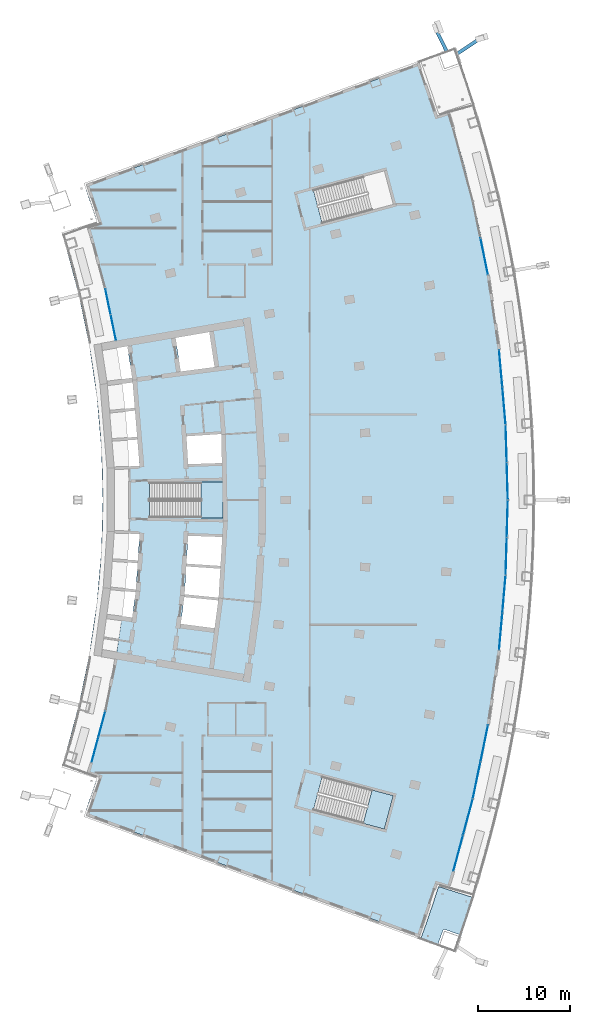
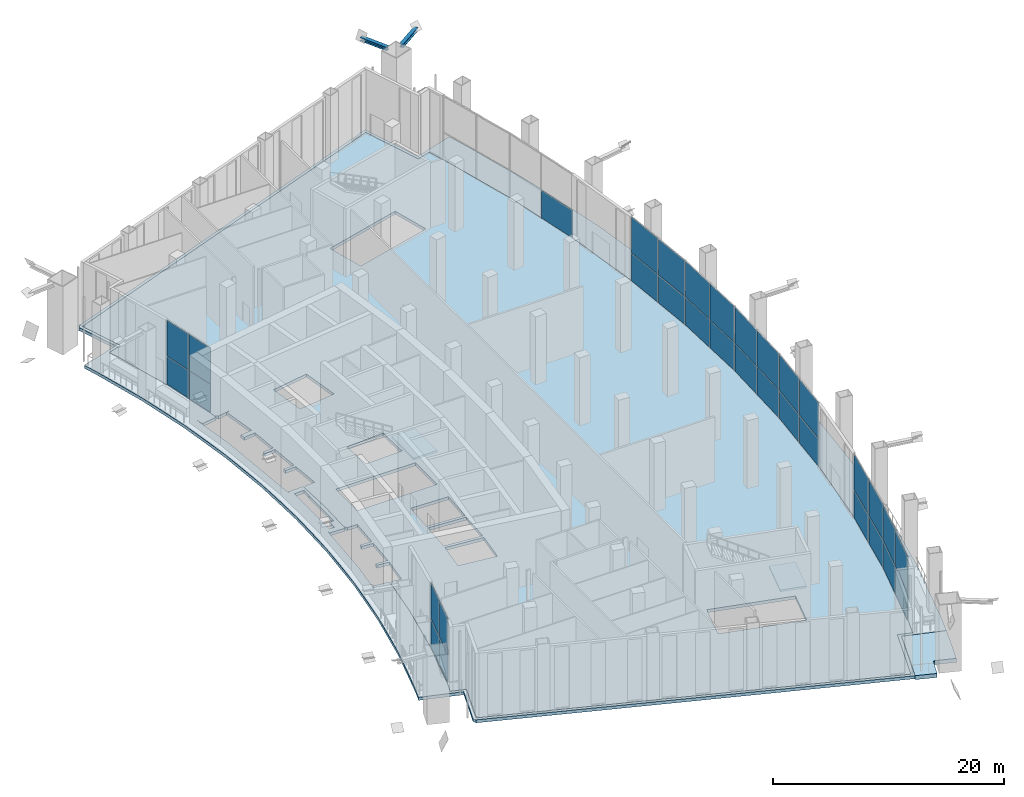
# One storey, part 14 of 27: 33 plates, 5 slabs, 2 members, 11 elements without a shape of their own.
"""IFC4 building model written with IfcOpenShell, lengths in metres."""

from ifc_helpers import new_model, si_unit, direction, frame, origin, origin_2d, place, context, subcontext, project, spatial, polyline, rectangle, i_section, outline, extrude, material, layer, layer_set, material_profile, profile_set, type_object, element, aggregate, save


model = new_model("IFC4")

# Units and contexts
model_context = context("Model", 3, precision=1e-05, world=origin(), true_north=direction((0.0, 1.0)))
body_context = subcontext(model_context, "Body", "Model", "MODEL_VIEW")
ifc_project = project(units=[si_unit("LENGTHUNIT", "METRE"), si_unit("AREAUNIT", "SQUARE_METRE"), si_unit("VOLUMEUNIT", "CUBIC_METRE"), si_unit("PLANEANGLEUNIT", "RADIAN"), si_unit("MASSUNIT", "GRAM", prefix="KILO")], contexts=[model_context])

# Site, building, storey
site_placement = place(None, origin())
site = spatial("IfcSite", under=ifc_project, at=site_placement, CompositionType="ELEMENT")
building_placement = place(site_placement, origin())
building = spatial("IfcBuilding", under=site, at=building_placement, Name="Alderwake Tower", CompositionType="ELEMENT")
storey_placement = place(building_placement, frame((0.0, 0.0, 75.199951171875)))
storey = spatial("IfcBuildingStorey", under=building, at=storey_placement, Name="L18", CompositionType="ELEMENT", Elevation=75.199951171875)

# Members
ifc_material_1 = material(Name="Steel ASTM A992 Grade 50", Category="steel")
ifc_material_profile = material_profile(ifc_material_1, i_section(OverallWidth=0.3740234375, OverallDepth=0.372314453125, WebThickness=0.016357421875, FlangeThickness=0.026123046875, at=origin_2d()), Name="W14X132")
ifc_profile_set = profile_set([ifc_material_profile], Name="Steel ASTM A992 Grade 50")
member_type = type_object("IfcMemberType", Name="Brace node stub W14X132", PredefinedType="MEMBER", material=ifc_profile_set)
member_1_placement = place(storey_placement, frame((54.419189453125, 109.353759765625, 6.993896484375), z_axis=(0.833602081828, 0.552365430826, 0.0), x_axis=(-0.552365430826, 0.833602081828, 0.0)))
element("IfcMember", 1, at=member_1_placement, inside=storey, type_object=member_type, Name="Brace node stub BS.FR13-C5.824", PredefinedType="MEMBER", context=body_context, shape_type="SweptSolid", body=[
    extrude(i_section(OverallWidth=0.3740234375, OverallDepth=0.372314453125, WebThickness=0.016357421875, FlangeThickness=0.026123046875, at=origin_2d()), origin(), (0.0, 0.0, 1.0), 2.874267578125),
])
member_2_placement = place(storey_placement, frame((53.222412109375, 109.57958984375, 6.993896484375), z_axis=(-0.443924862678, 0.896064013504, 0.0), x_axis=(-0.896064013504, -0.443924862678, 0.0)))
element("IfcMember", 2, at=member_2_placement, inside=storey, type_object=member_type, Name="Brace node stub BS.NR13-C5.824", PredefinedType="MEMBER", context=body_context, shape_type="SweptSolid", body=[
    extrude(i_section(OverallWidth=0.3740234375, OverallDepth=0.372314453125, WebThickness=0.016357421875, FlangeThickness=0.026123046875, at=origin_2d()), origin(), (0.0, 0.0, 1.0), 2.76416015625),
])

# Slabs
ifc_material_2 = material(Name="Concrete C50/60", Category="concrete")
ifc_layer_1 = layer(ifc_material_2, 0.320068359375)
ifc_layer_set_1 = layer_set([ifc_layer_1], Name="Concrete C50/60 post-tensioned flat plate 320")
slab_type_1 = type_object("IfcSlabType", Name="Concrete C50/60 post-tensioned flat plate 320", PredefinedType="FLOOR", material=ifc_layer_set_1)
slab_1_placement = place(storey_placement, frame((0.0, 0.0, -0.320068359375)))
element("IfcSlab", 3, at=slab_1_placement, inside=storey, type_object=slab_type_1, Name="Floor slab L18", PredefinedType="FLOOR", context=body_context, shape_type="SweptSolid", body=[
    extrude(outline(polyline([(18.37158203125, 51.12841796875), (18.397705078125, 51.42724609375), (19.574951171875, 51.31103515625), (19.76611328125, 54.161376953125), (18.644287109375, 54.236572265625), (18.67041015625, 54.535400390625), (19.7861328125, 54.460693359375), (19.977294921875, 57.31103515625), (19.0234375, 57.3447265625), (18.80029296875, 57.582763671875), (18.89990234375, 61.0), (18.80029296875, 64.417236328125), (19.0234375, 64.6552734375), (19.974609375, 64.68896484375), (19.738525390625, 67.5361328125), (18.67041015625, 67.464599609375), (18.644287109375, 67.763427734375), (19.7138671875, 67.835205078125), (19.47802734375, 70.679443359375), (18.397705078125, 70.57275390625), (18.37158203125, 70.87158203125), (19.453125, 70.978515625), (19.2255859375, 73.725830078125), (18.071533203125, 73.574951171875), (17.998779296875, 74.069580078125), (19.16796875, 74.22265625), (18.656982421875, 77.6376953125), (18.90283203125, 77.674560546875), (18.900146484375, 77.690673828125), (17.729248046875, 77.48828125), (17.46923828125, 77.676513671875), (17.389404296875, 78.21923828125), (16.219970703125, 83.867919921875), (14.72314453125, 89.438720703125), (14.36279296875, 90.522705078125), (15.72998046875, 90.954833984375), (14.389892578125, 94.890869140625), (14.531982421875, 95.1875), (50.19970703125, 108.207275390625), (52.15234375, 102.4716796875), (53.442626953125, 102.879638671875), (53.991455078125, 101.22802734375), (56.10888671875, 93.347900390625), (57.76318359375, 85.357666015625), (58.948974609375, 77.28466796875), (59.662109375, 69.15625), (59.89990234375, 61.0), (59.662109375, 52.84375), (58.948974609375, 44.71533203125), (57.76318359375, 36.642333984375), (56.10888671875, 28.652099609375), (53.991455078125, 20.77197265625), (53.442626953125, 19.120361328125), (52.15234375, 19.5283203125), (50.19970703125, 13.792724609375), (14.531982421875, 26.8125), (14.389892578125, 27.109130859375), (15.72998046875, 31.045166015625), (14.36279296875, 31.477294921875), (14.72314453125, 32.561279296875), (16.219970703125, 38.132080078125), (17.389404296875, 43.78076171875), (18.0380859375, 48.197509765625), (18.2998046875, 48.395263671875), (19.18017578125, 48.280029296875), (19.545166015625, 51.012451171875), (18.37158203125, 51.12841796875)]), holes=[polyline([(29.0, 62.875), (21.050048828125, 62.875), (21.050048828125, 59.125), (29.0, 59.125), (29.0, 62.875)]), polyline([(47.436279296875, 28.996826171875), (39.754150390625, 31.043212890625), (38.7890625, 27.41943359375), (46.47119140625, 25.373291015625), (47.436279296875, 28.996826171875)]), polyline([(24.82470703125, 50.49072265625), (24.8291015625, 50.534423828125), (24.825439453125, 50.534912109375), (24.43212890625, 47.59326171875), (28.095703125, 47.114013671875), (28.497802734375, 50.127685546875), (24.82470703125, 50.49072265625)]), polyline([(25.031005859375, 53.808349609375), (24.84521484375, 50.735595703125), (24.848876953125, 50.7353515625), (24.854248046875, 50.789306640625), (28.5341796875, 50.42578125), (28.719970703125, 53.56103515625), (25.031005859375, 53.808349609375)]), polyline([(28.92333984375, 56.994384765625), (25.2314453125, 57.125), (25.049072265625, 54.10791015625), (28.737548828125, 53.860595703125), (28.92333984375, 56.994384765625)]), polyline([(28.819091796875, 68.089599609375), (28.814697265625, 68.14453125), (25.05126953125, 67.892333984375), (25.232177734375, 64.875), (28.887451171875, 65.00439453125), (28.819091796875, 68.089599609375)]), polyline([(28.09619140625, 75.390380859375), (27.523193359375, 79.181396484375), (23.877685546875, 78.551025390625), (24.427001953125, 74.915283203125), (24.368896484375, 74.90673828125), (24.36962890625, 74.90283203125), (28.09619140625, 75.390380859375)]), polyline([(46.47119140625, 96.626708984375), (38.7890625, 94.58056640625), (39.754150390625, 90.956787109375), (47.436279296875, 93.003173828125), (46.47119140625, 96.626708984375)])]), origin(), (0.0, 0.0, 1.0), 0.320068359375),
])
ifc_material_3 = material(Name="Concrete C50/60", Category="concrete")
ifc_layer_2 = layer(ifc_material_3, 0.320068359375)
ifc_layer_set_2 = layer_set([ifc_layer_2], Name="Concrete C50/60 terrace slab 320")
slab_type_2 = type_object("IfcSlabType", Name="Concrete C50/60 terrace slab 320", PredefinedType="FLOOR", material=ifc_layer_set_2)
slab_2_placement = place(storey_placement, frame((0.0, 0.0, -0.320068359375)))
element("IfcSlab", 4, at=slab_2_placement, inside=storey, type_object=slab_type_2, Name="Terrace slab L18", PredefinedType="FLOOR", context=body_context, shape_type="SweptSolid", body=[
    extrude(outline(polyline([(11.945556640625, 33.395263671875), (13.3984375, 38.802734375), (14.53369140625, 44.28564453125), (15.347412109375, 49.825439453125), (15.836669921875, 55.4033203125), (16.0, 61.0), (15.836669921875, 66.5966796875), (15.347412109375, 72.174560546875), (14.53369140625, 77.71435546875), (13.3984375, 83.197265625), (11.945556640625, 88.604736328125), (11.533203125, 89.942626953125), (15.34716796875, 91.1484375), (14.011474609375, 95.072021484375), (14.1533203125, 95.36865234375), (50.385009765625, 108.59423828125), (52.341796875, 102.84619140625), (56.155517578125, 104.052001953125), (56.76904296875, 102.06201171875), (58.930419921875, 94.0185546875), (60.618896484375, 85.862548828125), (61.829345703125, 77.622314453125), (62.55712890625, 69.3251953125), (62.800048828125, 61.0), (62.55712890625, 52.6748046875), (61.829345703125, 44.377685546875), (60.618896484375, 36.137451171875), (58.930419921875, 27.9814453125), (56.76904296875, 19.93798828125), (56.155517578125, 17.947998046875), (52.341796875, 19.15380859375), (50.385009765625, 13.40576171875), (14.1533203125, 26.63134765625), (14.011474609375, 26.927978515625), (15.34716796875, 30.8515625), (11.533203125, 32.057373046875), (11.945556640625, 33.395263671875)]), holes=[polyline([(52.15234375, 19.5283203125), (53.442626953125, 19.120361328125), (53.991455078125, 20.77197265625), (56.10888671875, 28.652099609375), (57.76318359375, 36.642333984375), (58.948974609375, 44.71533203125), (59.662109375, 52.84375), (59.89990234375, 61.0), (59.662109375, 69.15625), (58.948974609375, 77.28466796875), (57.76318359375, 85.357666015625), (56.10888671875, 93.347900390625), (53.991455078125, 101.22802734375), (53.442626953125, 102.879638671875), (52.15234375, 102.4716796875), (50.19970703125, 108.207275390625), (14.31591796875, 95.108642578125), (15.72998046875, 90.954833984375), (14.36279296875, 90.522705078125), (14.72314453125, 89.438720703125), (16.219970703125, 83.867919921875), (17.389404296875, 78.21923828125), (17.502685546875, 77.448974609375), (15.96826171875, 77.183837890625), (15.836669921875, 77.94482421875), (15.58544921875, 77.900390625), (15.586181640625, 77.896484375), (15.8154296875, 77.931884765625), (16.478515625, 73.61865234375), (16.47900390625, 73.61376953125), (16.732421875, 70.558837890625), (16.98583984375, 67.501953125), (17.239501953125, 64.4443359375), (17.239501953125, 64.44189453125), (17.269287109375, 64.443115234375), (17.263916015625, 64.593017578125), (18.793701171875, 64.647216796875), (18.89990234375, 61.0), (18.793701171875, 57.352783203125), (17.263916015625, 57.406982421875), (17.269287109375, 57.556884765625), (17.2392578125, 57.55810546875), (17.033935546875, 54.494873046875), (16.82861328125, 51.431640625), (16.82861328125, 51.431640625), (16.41015625, 48.39013671875), (16.43994140625, 48.38623046875), (16.472412109375, 48.63427734375), (18.071533203125, 48.425048828125), (17.389404296875, 43.78076171875), (16.219970703125, 38.132080078125), (14.72314453125, 32.561279296875), (14.36279296875, 31.477294921875), (15.72998046875, 31.045166015625), (14.31591796875, 26.891357421875), (50.19970703125, 13.792724609375), (52.15234375, 19.5283203125)]), polyline([(17.58935546875, 64.05419921875), (17.58935546875, 57.94580078125), (18.065673828125, 57.928955078125), (18.090576171875, 58.84326171875), (18.544189453125, 58.8310546875), (18.529296875, 58.8681640625), (18.5234375, 58.89208984375), (18.5185546875, 58.94091796875), (18.5185546875, 63.060302734375), (18.5234375, 63.109130859375), (18.53759765625, 63.156005859375), (18.560791015625, 63.19921875), (18.588623046875, 63.233642578125), (18.565185546875, 64.088623046875), (17.58935546875, 64.05419921875)])]), origin(), (0.0, 0.0, 1.0), 0.320068359375),
])

# Stair, slab
ifc_material_4 = material(Name="Concrete C40/50", Category="concrete")
stair_type = type_object("IfcStairType", Name="Core exit stair", PredefinedType="HALF_TURN_STAIR", material=ifc_material_4)
stair_1_placement = place(storey_placement, origin())
stair_1 = element("IfcStair", 5, at=stair_1_placement, inside=storey, type_object=stair_type, Name="L18 Exit Stair B", PredefinedType="HALF_TURN_STAIR")
ifc_material_5 = material(Name="Concrete C40/50", Category="concrete")
ifc_layer_3 = layer(ifc_material_5, 0.199951171875)
ifc_layer_set_3 = layer_set([ifc_layer_3], Name="Core stair landing 200")
slab_type_3 = type_object("IfcSlabType", Name="Core stair landing 200", PredefinedType="LANDING", material=ifc_layer_set_3)
slab_3_placement = place(storey_placement, frame((0.0, 0.0, 3.400146484375)))
slab_3 = element("IfcSlab", 6, at=slab_3_placement, type_object=slab_type_3, Name="ST-B landing 1", PredefinedType="LANDING", context=body_context, shape_type="SweptSolid", body=[
    extrude(outline(polyline([(26.6298828125, 59.074951171875), (29.0, 59.074951171875), (29.0, 62.925048828125), (26.6298828125, 62.925048828125), (26.6298828125, 59.074951171875)])), origin(), (0.0, 0.0, 1.0), 0.199951171875),
])
aggregate(stair_1, [slab_3])

stair_2_placement = place(storey_placement, origin())
stair_2 = element("IfcStair", 7, at=stair_2_placement, inside=storey, type_object=stair_type, Name="L18 Exit Stair C", PredefinedType="HALF_TURN_STAIR")
slab_4_placement = place(storey_placement, frame((0.0, 0.0, 3.400146484375)))
slab_4 = element("IfcSlab", 8, at=slab_4_placement, type_object=slab_type_3, Name="ST-C landing 1", PredefinedType="LANDING", context=body_context, shape_type="SweptSolid", body=[
    extrude(outline(polyline([(44.180908203125, 25.983154296875), (46.47119140625, 25.373291015625), (47.436279296875, 28.996826171875), (45.146240234375, 29.60693359375), (44.180908203125, 25.983154296875)])), origin(), (0.0, 0.0, 1.0), 0.199951171875),
])
aggregate(stair_2, [slab_4])

# Curtain wall, plates
ifc_material_6 = material(Name="Bronze tinted glass in aluminium frame", Category="aluminium")
ifc_layer_4 = layer(ifc_material_6, 0.199951171875)
ifc_layer_set_4 = layer_set([ifc_layer_4], Name="Curtain wall CW3 sky garden glazing")
curtain_wall_type = type_object("IfcCurtainWallType", Name="Curtain wall CW3 sky garden glazing", PredefinedType="NOTDEFINED", material=ifc_layer_set_4)
curtain_wall_1_placement = place(storey_placement, origin())
curtain_wall_1 = element("IfcCurtainWall", 9, at=curtain_wall_1_placement, inside=storey, type_object=curtain_wall_type, Name="Curtain wall 1", PredefinedType="NOTDEFINED")
ifc_material_7 = material(Name="Bronze tinted glass in aluminium frame", Category="aluminium")
ifc_layer_5 = layer(ifc_material_7, 0.028076171875)
ifc_layer_set_5 = layer_set([ifc_layer_5], Name="Glass panel GPC 28")
plate_type = type_object("IfcPlateType", Name="Glass panel GPC 28", PredefinedType="CURTAIN_PANEL", material=ifc_layer_set_5)
plate_1_placement = place(storey_placement, frame((16.563720703125, 82.45361328125, 0.06005859375), z_axis=(0.0, 0.0, 1.0), x_axis=(0.202750888158, -0.979230349484, 0.0)))
plate_1 = element("IfcPlate", 10, at=plate_1_placement, type_object=plate_type, Name="CW.01 panel 1.1", PredefinedType="CURTAIN_PANEL", context=body_context, shape_type="SweptSolid", body=[
    extrude(rectangle(XDim=2.7890625, YDim=0.028076171875, at=origin_2d()), origin(), (0.0, 0.0, 1.0), 2.909912109375),
])
plate_2_placement = place(storey_placement, frame((16.563720703125, 82.45361328125, 3.030029296875), z_axis=(0.0, 0.0, 1.0), x_axis=(0.202750888158, -0.979230349484, 0.0)))
plate_2 = element("IfcPlate", 11, at=plate_2_placement, type_object=plate_type, Name="CW.01 panel 1.2", PredefinedType="CURTAIN_PANEL", context=body_context, shape_type="SweptSolid", body=[
    extrude(rectangle(XDim=2.7890625, YDim=0.028076171875, at=origin_2d()), origin(), (0.0, 0.0, 1.0), 3.7900390625),
])
plate_3_placement = place(storey_placement, frame((17.1416015625, 79.66357421875, 0.06005859375), z_axis=(0.0, 0.0, 1.0), x_axis=(0.202750888158, -0.979230349484, 0.0)))
plate_3 = element("IfcPlate", 12, at=plate_3_placement, type_object=plate_type, Name="CW.01 panel 2.1", PredefinedType="CURTAIN_PANEL", context=body_context, shape_type="SweptSolid", body=[
    extrude(rectangle(XDim=2.7890625, YDim=0.028076171875, at=origin_2d()), origin(), (0.0, 0.0, 1.0), 2.909912109375),
])
plate_4_placement = place(storey_placement, frame((17.1416015625, 79.66357421875, 3.030029296875), z_axis=(0.0, 0.0, 1.0), x_axis=(0.202750888158, -0.979230349484, 0.0)))
plate_4 = element("IfcPlate", 13, at=plate_4_placement, type_object=plate_type, Name="CW.01 panel 2.2", PredefinedType="CURTAIN_PANEL", context=body_context, shape_type="SweptSolid", body=[
    extrude(rectangle(XDim=2.7890625, YDim=0.028076171875, at=origin_2d()), origin(), (0.0, 0.0, 1.0), 3.7900390625),
])
aggregate(curtain_wall_1, [plate_1, plate_2, plate_3, plate_4])

curtain_wall_2_placement = place(storey_placement, origin())
curtain_wall_2 = element("IfcCurtainWall", 14, at=curtain_wall_2_placement, inside=storey, type_object=curtain_wall_type, Name="Curtain wall 2", PredefinedType="NOTDEFINED")
plate_5_placement = place(storey_placement, frame((15.89013671875, 36.7119140625, 0.06005859375), z_axis=(0.0, 0.0, 1.0), x_axis=(-0.259483539814, -0.965747530447, 0.0)))
plate_5 = element("IfcPlate", 15, at=plate_5_placement, type_object=plate_type, Name="CW.02 panel 1.1", PredefinedType="CURTAIN_PANEL", context=body_context, shape_type="SweptSolid", body=[
    extrude(rectangle(XDim=2.794189453125, YDim=0.028076171875, at=origin_2d()), origin(), (0.0, 0.0, 1.0), 2.909912109375),
])
plate_6_placement = place(storey_placement, frame((15.89013671875, 36.7119140625, 3.030029296875), z_axis=(0.0, 0.0, 1.0), x_axis=(-0.259483539814, -0.965747530447, 0.0)))
plate_6 = element("IfcPlate", 16, at=plate_6_placement, type_object=plate_type, Name="CW.02 panel 1.2", PredefinedType="CURTAIN_PANEL", context=body_context, shape_type="SweptSolid", body=[
    extrude(rectangle(XDim=2.794189453125, YDim=0.028076171875, at=origin_2d()), origin(), (0.0, 0.0, 1.0), 3.7900390625),
])
plate_7_placement = place(storey_placement, frame((15.1494140625, 33.95556640625, 0.06005859375), z_axis=(0.0, 0.0, 1.0), x_axis=(-0.259483539814, -0.965747530447, 0.0)))
plate_7 = element("IfcPlate", 17, at=plate_7_placement, type_object=plate_type, Name="CW.02 panel 2.1", PredefinedType="CURTAIN_PANEL", context=body_context, shape_type="SweptSolid", body=[
    extrude(rectangle(XDim=2.794189453125, YDim=0.028076171875, at=origin_2d()), origin(), (0.0, 0.0, 1.0), 2.909912109375),
])
plate_8_placement = place(storey_placement, frame((15.1494140625, 33.95556640625, 3.030029296875), z_axis=(0.0, 0.0, 1.0), x_axis=(-0.259483539814, -0.965747530447, 0.0)))
plate_8 = element("IfcPlate", 18, at=plate_8_placement, type_object=plate_type, Name="CW.02 panel 2.2", PredefinedType="CURTAIN_PANEL", context=body_context, shape_type="SweptSolid", body=[
    extrude(rectangle(XDim=2.794189453125, YDim=0.028076171875, at=origin_2d()), origin(), (0.0, 0.0, 1.0), 3.7900390625),
])
aggregate(curtain_wall_2, [plate_5, plate_6, plate_7, plate_8])

curtain_wall_3_placement = place(storey_placement, origin())
curtain_wall_3 = element("IfcCurtainWall", 19, at=curtain_wall_3_placement, inside=storey, type_object=curtain_wall_type, Name="Curtain wall 3", PredefinedType="NOTDEFINED")
plate_9_placement = place(storey_placement, frame((54.4765625, 22.76953125, 0.06005859375), z_axis=(0.0, 0.0, 1.0), x_axis=(0.259494384779, 0.965744616484, 0.0)))
plate_9 = element("IfcPlate", 20, at=plate_9_placement, type_object=plate_type, Name="CW.03 panel 1.1", PredefinedType="CURTAIN_PANEL", context=body_context, shape_type="SweptSolid", body=[
    extrude(rectangle(XDim=3.98974609375, YDim=0.028076171875, at=origin_2d()), origin(), (0.0, 0.0, 1.0), 2.909912109375),
])
plate_10_placement = place(storey_placement, frame((54.4765625, 22.76953125, 3.030029296875), z_axis=(0.0, 0.0, 1.0), x_axis=(0.259494384779, 0.965744616484, 0.0)))
plate_10 = element("IfcPlate", 21, at=plate_10_placement, type_object=plate_type, Name="CW.03 panel 1.2", PredefinedType="CURTAIN_PANEL", context=body_context, shape_type="SweptSolid", body=[
    extrude(rectangle(XDim=3.98974609375, YDim=0.028076171875, at=origin_2d()), origin(), (0.0, 0.0, 1.0), 3.7900390625),
])
plate_11_placement = place(storey_placement, frame((55.52734375, 26.6806640625, 0.06005859375), z_axis=(0.0, 0.0, 1.0), x_axis=(0.259494384779, 0.965744616484, 0.0)))
plate_11 = element("IfcPlate", 22, at=plate_11_placement, type_object=plate_type, Name="CW.03 panel 2.1", PredefinedType="CURTAIN_PANEL", context=body_context, shape_type="SweptSolid", body=[
    extrude(rectangle(XDim=3.98974609375, YDim=0.028076171875, at=origin_2d()), origin(), (0.0, 0.0, 1.0), 2.909912109375),
])
plate_12_placement = place(storey_placement, frame((55.52734375, 26.6806640625, 3.030029296875), z_axis=(0.0, 0.0, 1.0), x_axis=(0.259494384779, 0.965744616484, 0.0)))
plate_12 = element("IfcPlate", 23, at=plate_12_placement, type_object=plate_type, Name="CW.03 panel 2.2", PredefinedType="CURTAIN_PANEL", context=body_context, shape_type="SweptSolid", body=[
    extrude(rectangle(XDim=3.98974609375, YDim=0.028076171875, at=origin_2d()), origin(), (0.0, 0.0, 1.0), 3.7900390625),
])
aggregate(curtain_wall_3, [plate_9, plate_10, plate_11, plate_12])

curtain_wall_4_placement = place(storey_placement, origin())
curtain_wall_4 = element("IfcCurtainWall", 24, at=curtain_wall_4_placement, inside=storey, type_object=curtain_wall_type, Name="Curtain wall 4", PredefinedType="NOTDEFINED")
plate_13_placement = place(storey_placement, frame((56.4765625, 30.674560546875, 0.06005859375), z_axis=(0.0, 0.0, 1.0), x_axis=(0.202741361928, 0.979232321854, 0.0)))
plate_13 = element("IfcPlate", 25, at=plate_13_placement, type_object=plate_type, Name="CW.04 panel 1.1", PredefinedType="CURTAIN_PANEL", context=body_context, shape_type="SweptSolid", body=[
    extrude(rectangle(XDim=3.98974609375, YDim=0.028076171875, at=origin_2d()), origin(), (0.0, 0.0, 1.0), 2.909912109375),
])
plate_14_placement = place(storey_placement, frame((56.4765625, 30.674560546875, 3.030029296875), z_axis=(0.0, 0.0, 1.0), x_axis=(0.202741361928, 0.979232321854, 0.0)))
plate_14 = element("IfcPlate", 26, at=plate_14_placement, type_object=plate_type, Name="CW.04 panel 1.2", PredefinedType="CURTAIN_PANEL", context=body_context, shape_type="SweptSolid", body=[
    extrude(rectangle(XDim=3.98974609375, YDim=0.028076171875, at=origin_2d()), origin(), (0.0, 0.0, 1.0), 3.7900390625),
])
plate_15_placement = place(storey_placement, frame((57.297607421875, 34.64013671875, 0.06005859375), z_axis=(0.0, 0.0, 1.0), x_axis=(0.202741361928, 0.979232321854, 0.0)))
plate_15 = element("IfcPlate", 27, at=plate_15_placement, type_object=plate_type, Name="CW.04 panel 2.1", PredefinedType="CURTAIN_PANEL", context=body_context, shape_type="SweptSolid", body=[
    extrude(rectangle(XDim=3.98974609375, YDim=0.028076171875, at=origin_2d()), origin(), (0.0, 0.0, 1.0), 2.909912109375),
])
plate_16_placement = place(storey_placement, frame((57.297607421875, 34.64013671875, 3.030029296875), z_axis=(0.0, 0.0, 1.0), x_axis=(0.202741361928, 0.979232321854, 0.0)))
plate_16 = element("IfcPlate", 28, at=plate_16_placement, type_object=plate_type, Name="CW.04 panel 2.2", PredefinedType="CURTAIN_PANEL", context=body_context, shape_type="SweptSolid", body=[
    extrude(rectangle(XDim=3.98974609375, YDim=0.028076171875, at=origin_2d()), origin(), (0.0, 0.0, 1.0), 3.7900390625),
])
aggregate(curtain_wall_4, [plate_13, plate_14, plate_15, plate_16])

curtain_wall_5_placement = place(storey_placement, origin())
curtain_wall_5 = element("IfcCurtainWall", 29, at=curtain_wall_5_placement, inside=storey, type_object=curtain_wall_type, Name="Curtain wall 5", PredefinedType="NOTDEFINED")
plate_17_placement = place(storey_placement, frame((59.078857421875, 46.766845703125, 0.06005859375), z_axis=(0.0, 0.0, 1.0), x_axis=(0.087380547254, 0.996175004686, 0.0)))
plate_17 = element("IfcPlate", 30, at=plate_17_placement, type_object=plate_type, Name="CW.05 panel 1.1", PredefinedType="CURTAIN_PANEL", context=body_context, shape_type="SweptSolid", body=[
    extrude(rectangle(XDim=3.98974609375, YDim=0.028076171875, at=origin_2d()), origin(), (0.0, 0.0, 1.0), 2.909912109375),
])
plate_18_placement = place(storey_placement, frame((59.078857421875, 46.766845703125, 3.030029296875), z_axis=(0.0, 0.0, 1.0), x_axis=(0.087380547254, 0.996175004686, 0.0)))
plate_18 = element("IfcPlate", 31, at=plate_18_placement, type_object=plate_type, Name="CW.05 panel 1.2", PredefinedType="CURTAIN_PANEL", context=body_context, shape_type="SweptSolid", body=[
    extrude(rectangle(XDim=3.98974609375, YDim=0.028076171875, at=origin_2d()), origin(), (0.0, 0.0, 1.0), 3.7900390625),
])
plate_19_placement = place(storey_placement, frame((59.4326171875, 50.801025390625, 0.06005859375), z_axis=(0.0, 0.0, 1.0), x_axis=(0.087380547254, 0.996175004686, 0.0)))
plate_19 = element("IfcPlate", 32, at=plate_19_placement, type_object=plate_type, Name="CW.05 panel 2.1", PredefinedType="CURTAIN_PANEL", context=body_context, shape_type="SweptSolid", body=[
    extrude(rectangle(XDim=3.98974609375, YDim=0.028076171875, at=origin_2d()), origin(), (0.0, 0.0, 1.0), 2.909912109375),
])
plate_20_placement = place(storey_placement, frame((59.4326171875, 50.801025390625, 3.030029296875), z_axis=(0.0, 0.0, 1.0), x_axis=(0.087380547254, 0.996175004686, 0.0)))
plate_20 = element("IfcPlate", 33, at=plate_20_placement, type_object=plate_type, Name="CW.05 panel 2.2", PredefinedType="CURTAIN_PANEL", context=body_context, shape_type="SweptSolid", body=[
    extrude(rectangle(XDim=3.98974609375, YDim=0.028076171875, at=origin_2d()), origin(), (0.0, 0.0, 1.0), 3.7900390625),
])
aggregate(curtain_wall_5, [plate_17, plate_18, plate_19, plate_20])

curtain_wall_6_placement = place(storey_placement, origin())
curtain_wall_6 = element("IfcCurtainWall", 34, at=curtain_wall_6_placement, inside=storey, type_object=curtain_wall_type, Name="Curtain wall 6", PredefinedType="NOTDEFINED")
plate_21_placement = place(storey_placement, frame((59.671875, 54.8994140625, 0.06005859375), z_axis=(0.0, 0.0, 1.0), x_axis=(0.029167840135, 0.999574528038, 0.0)))
plate_21 = element("IfcPlate", 35, at=plate_21_placement, type_object=plate_type, Name="CW.06 panel 1.1", PredefinedType="CURTAIN_PANEL", context=body_context, shape_type="SweptSolid", body=[
    extrude(rectangle(XDim=3.98974609375, YDim=0.028076171875, at=origin_2d()), origin(), (0.0, 0.0, 1.0), 2.909912109375),
])
plate_22_placement = place(storey_placement, frame((59.671875, 54.8994140625, 3.030029296875), z_axis=(0.0, 0.0, 1.0), x_axis=(0.029167840135, 0.999574528038, 0.0)))
plate_22 = element("IfcPlate", 36, at=plate_22_placement, type_object=plate_type, Name="CW.06 panel 1.2", PredefinedType="CURTAIN_PANEL", context=body_context, shape_type="SweptSolid", body=[
    extrude(rectangle(XDim=3.98974609375, YDim=0.028076171875, at=origin_2d()), origin(), (0.0, 0.0, 1.0), 3.7900390625),
])
plate_23_placement = place(storey_placement, frame((59.7900390625, 58.947509765625, 0.06005859375), z_axis=(0.0, 0.0, 1.0), x_axis=(0.029167840135, 0.999574528038, 0.0)))
plate_23 = element("IfcPlate", 37, at=plate_23_placement, type_object=plate_type, Name="CW.06 panel 2.1", PredefinedType="CURTAIN_PANEL", context=body_context, shape_type="SweptSolid", body=[
    extrude(rectangle(XDim=3.98974609375, YDim=0.028076171875, at=origin_2d()), origin(), (0.0, 0.0, 1.0), 2.909912109375),
])
plate_24_placement = place(storey_placement, frame((59.7900390625, 58.947509765625, 3.030029296875), z_axis=(0.0, 0.0, 1.0), x_axis=(0.029167840135, 0.999574528038, 0.0)))
plate_24 = element("IfcPlate", 38, at=plate_24_placement, type_object=plate_type, Name="CW.06 panel 2.2", PredefinedType="CURTAIN_PANEL", context=body_context, shape_type="SweptSolid", body=[
    extrude(rectangle(XDim=3.98974609375, YDim=0.028076171875, at=origin_2d()), origin(), (0.0, 0.0, 1.0), 3.7900390625),
])
aggregate(curtain_wall_6, [plate_21, plate_22, plate_23, plate_24])

curtain_wall_7_placement = place(storey_placement, origin())
curtain_wall_7 = element("IfcCurtainWall", 39, at=curtain_wall_7_placement, inside=storey, type_object=curtain_wall_type, Name="Curtain wall 7", PredefinedType="NOTDEFINED")
plate_25_placement = place(storey_placement, frame((59.7900390625, 63.052490234375, 0.06005859375), z_axis=(0.0, 0.0, 1.0), x_axis=(-0.029167840135, 0.999574528038, 0.0)))
plate_25 = element("IfcPlate", 40, at=plate_25_placement, type_object=plate_type, Name="CW.07 panel 1.1", PredefinedType="CURTAIN_PANEL", context=body_context, shape_type="SweptSolid", body=[
    extrude(rectangle(XDim=3.98974609375, YDim=0.028076171875, at=origin_2d()), origin(), (0.0, 0.0, 1.0), 2.909912109375),
])
plate_26_placement = place(storey_placement, frame((59.7900390625, 63.052490234375, 3.030029296875), z_axis=(0.0, 0.0, 1.0), x_axis=(-0.029167840135, 0.999574528038, 0.0)))
plate_26 = element("IfcPlate", 41, at=plate_26_placement, type_object=plate_type, Name="CW.07 panel 1.2", PredefinedType="CURTAIN_PANEL", context=body_context, shape_type="SweptSolid", body=[
    extrude(rectangle(XDim=3.98974609375, YDim=0.028076171875, at=origin_2d()), origin(), (0.0, 0.0, 1.0), 3.7900390625),
])
plate_27_placement = place(storey_placement, frame((59.671875, 67.1005859375, 0.06005859375), z_axis=(0.0, 0.0, 1.0), x_axis=(-0.029167840135, 0.999574528038, 0.0)))
plate_27 = element("IfcPlate", 42, at=plate_27_placement, type_object=plate_type, Name="CW.07 panel 2.1", PredefinedType="CURTAIN_PANEL", context=body_context, shape_type="SweptSolid", body=[
    extrude(rectangle(XDim=3.98974609375, YDim=0.028076171875, at=origin_2d()), origin(), (0.0, 0.0, 1.0), 2.909912109375),
])
plate_28_placement = place(storey_placement, frame((59.671875, 67.1005859375, 3.030029296875), z_axis=(0.0, 0.0, 1.0), x_axis=(-0.029167840135, 0.999574528038, 0.0)))
plate_28 = element("IfcPlate", 43, at=plate_28_placement, type_object=plate_type, Name="CW.07 panel 2.2", PredefinedType="CURTAIN_PANEL", context=body_context, shape_type="SweptSolid", body=[
    extrude(rectangle(XDim=3.98974609375, YDim=0.028076171875, at=origin_2d()), origin(), (0.0, 0.0, 1.0), 3.7900390625),
])
aggregate(curtain_wall_7, [plate_25, plate_26, plate_27, plate_28])

curtain_wall_8_placement = place(storey_placement, origin())
curtain_wall_8 = element("IfcCurtainWall", 44, at=curtain_wall_8_placement, inside=storey, type_object=curtain_wall_type, Name="Curtain wall 8", PredefinedType="NOTDEFINED")
plate_29_placement = place(storey_placement, frame((59.4326171875, 71.198974609375, 0.06005859375), z_axis=(0.0, 0.0, 1.0), x_axis=(-0.087380547254, 0.996175004686, 0.0)))
plate_29 = element("IfcPlate", 45, at=plate_29_placement, type_object=plate_type, Name="CW.08 panel 1.1", PredefinedType="CURTAIN_PANEL", context=body_context, shape_type="SweptSolid", body=[
    extrude(rectangle(XDim=3.98974609375, YDim=0.028076171875, at=origin_2d()), origin(), (0.0, 0.0, 1.0), 2.909912109375),
])
plate_30_placement = place(storey_placement, frame((59.4326171875, 71.198974609375, 3.030029296875), z_axis=(0.0, 0.0, 1.0), x_axis=(-0.087380547254, 0.996175004686, 0.0)))
plate_30 = element("IfcPlate", 46, at=plate_30_placement, type_object=plate_type, Name="CW.08 panel 1.2", PredefinedType="CURTAIN_PANEL", context=body_context, shape_type="SweptSolid", body=[
    extrude(rectangle(XDim=3.98974609375, YDim=0.028076171875, at=origin_2d()), origin(), (0.0, 0.0, 1.0), 3.7900390625),
])
plate_31_placement = place(storey_placement, frame((59.078857421875, 75.233154296875, 0.06005859375), z_axis=(0.0, 0.0, 1.0), x_axis=(-0.087380547254, 0.996175004686, 0.0)))
plate_31 = element("IfcPlate", 47, at=plate_31_placement, type_object=plate_type, Name="CW.08 panel 2.1", PredefinedType="CURTAIN_PANEL", context=body_context, shape_type="SweptSolid", body=[
    extrude(rectangle(XDim=3.98974609375, YDim=0.028076171875, at=origin_2d()), origin(), (0.0, 0.0, 1.0), 2.909912109375),
])
plate_32_placement = place(storey_placement, frame((59.078857421875, 75.233154296875, 3.030029296875), z_axis=(0.0, 0.0, 1.0), x_axis=(-0.087380547254, 0.996175004686, 0.0)))
plate_32 = element("IfcPlate", 48, at=plate_32_placement, type_object=plate_type, Name="CW.08 panel 2.2", PredefinedType="CURTAIN_PANEL", context=body_context, shape_type="SweptSolid", body=[
    extrude(rectangle(XDim=3.98974609375, YDim=0.028076171875, at=origin_2d()), origin(), (0.0, 0.0, 1.0), 3.7900390625),
])
aggregate(curtain_wall_8, [plate_29, plate_30, plate_31, plate_32])

# Curtain wall, plate
curtain_wall_9_placement = place(storey_placement, origin())
curtain_wall_9 = element("IfcCurtainWall", 49, at=curtain_wall_9_placement, inside=storey, type_object=curtain_wall_type, Name="Curtain wall 9", PredefinedType="NOTDEFINED")
plate_33_placement = place(storey_placement, frame((57.297607421875, 87.35986328125, 0.06005859375), z_axis=(0.0, 0.0, 1.0), x_axis=(-0.202741361928, 0.979232321854, 0.0)))
plate_33 = element("IfcPlate", 50, at=plate_33_placement, type_object=plate_type, Name="CW.09 panel 1.1", PredefinedType="CURTAIN_PANEL", context=body_context, shape_type="SweptSolid", body=[
    extrude(rectangle(XDim=3.98974609375, YDim=0.028076171875, at=origin_2d()), origin(), (0.0, 0.0, 1.0), 2.909912109375),
])
aggregate(curtain_wall_9, [plate_33])

# Slab
ifc_material_8 = material(Name="Concrete C50/60", Category="concrete")
ifc_layer_6 = layer(ifc_material_8, 0.419921875)
ifc_layer_set_6 = layer_set([ifc_layer_6], Name="Terrace slab 420")
slab_type_4 = type_object("IfcSlabType", Name="Terrace slab 420", PredefinedType="FLOOR", material=ifc_layer_set_6)
slab_5_placement = place(storey_placement, frame((0.0, 0.0, -0.419921875)))
element("IfcSlab", 51, at=slab_5_placement, inside=storey, type_object=slab_type_4, Name="Corner terrace FS", PredefinedType="FLOOR", context=body_context, shape_type="SweptSolid", body=[
    extrude(outline(polyline([(54.84228515625, 13.99560546875), (54.798828125, 13.87451171875), (53.0146484375, 14.512939453125), (53.00048828125, 14.51708984375), (52.986083984375, 14.52001953125), (52.971435546875, 14.521484375), (52.956787109375, 14.521484375), (52.94189453125, 14.52001953125), (52.927490234375, 14.51708984375), (52.91357421875, 14.512939453125), (52.89990234375, 14.50732421875), (52.886962890625, 14.50048828125), (52.874755859375, 14.4921875), (52.86328125, 14.48291015625), (52.852783203125, 14.472412109375), (52.843505859375, 14.461181640625), (52.83544921875, 14.44873046875), (52.828369140625, 14.435791015625), (52.82275390625, 14.42236328125), (52.219482421875, 12.736083984375), (50.385009765625, 13.40576171875), (51.065185546875, 15.312255859375), (51.71728515625, 17.228515625), (52.341796875, 19.15380859375), (56.155517578125, 17.947998046875), (55.51318359375, 15.967041015625), (54.84228515625, 13.99560546875)])), origin(), (0.0, 0.0, 1.0), 0.419921875),
])

save(model, "model.ifc")
